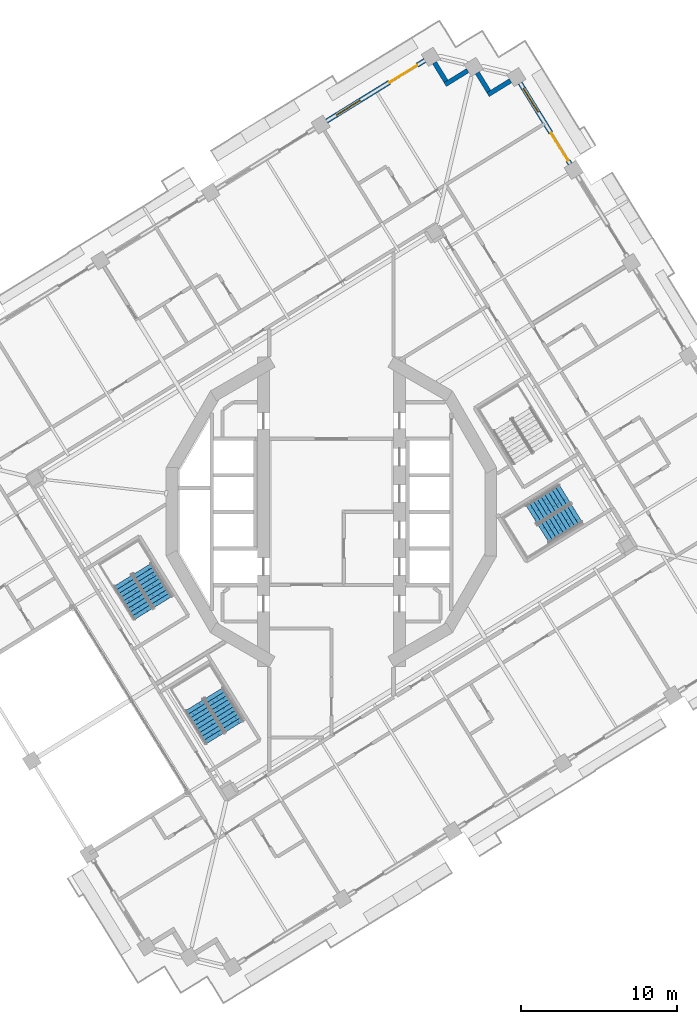
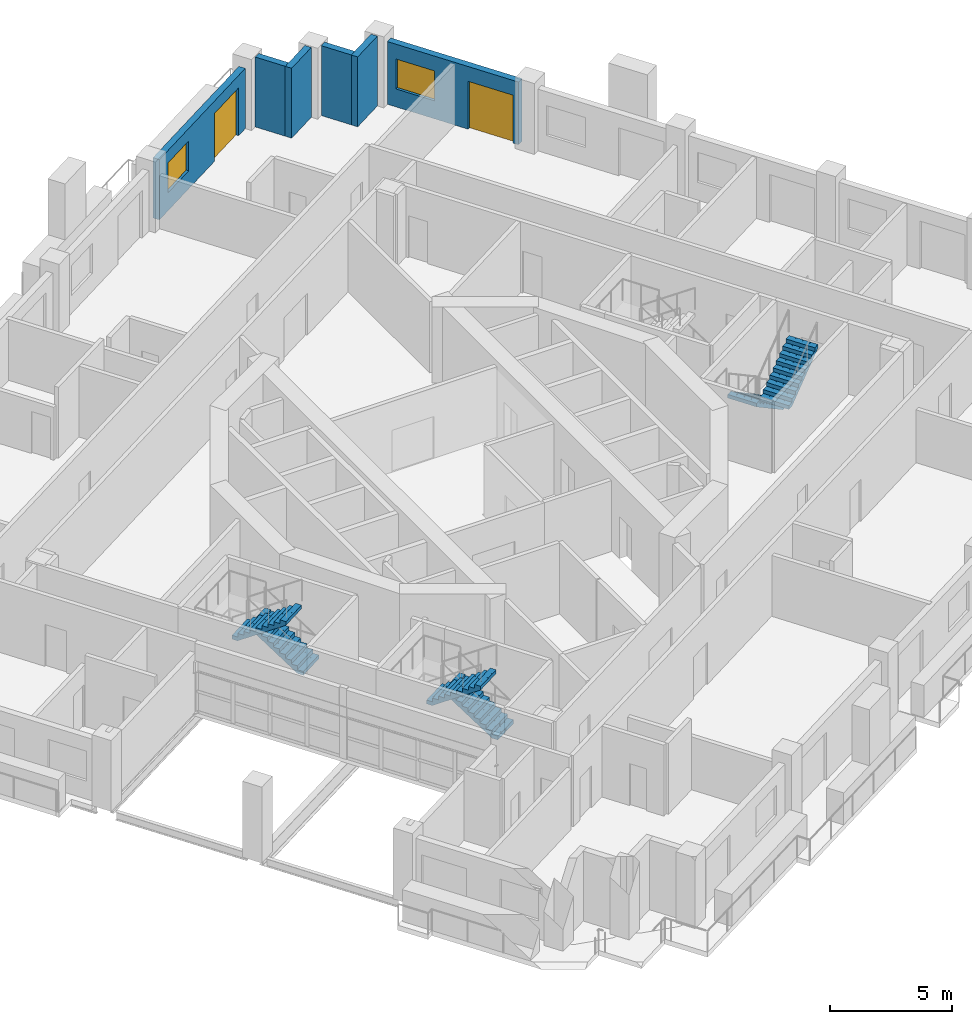
# One storey, part 13 of 22: 6 stair flights, 6 walls, 2 doors, 2 windows, 4 openings, 3 elements without a shape of their own.
"""IFC4 building model written with IfcOpenShell, lengths in metres."""

from ifc_helpers import new_model, si_unit, direction, frame, frame_2d, origin, place, context, subcontext, project, spatial, polyline, rectangle, outline, extrude, material, layer, layer_set, type_object, element, fill, aggregate, save


model = new_model("IFC4")

# Units and contexts
model_context = context("Model", 3, precision=1e-05, world=origin(), true_north=direction((0.0, 1.0)))
body_context = subcontext(model_context, "Body", "Model", "MODEL_VIEW")
ifc_project = project(units=[si_unit("LENGTHUNIT", "METRE"), si_unit("AREAUNIT", "SQUARE_METRE"), si_unit("VOLUMEUNIT", "CUBIC_METRE"), si_unit("PLANEANGLEUNIT", "RADIAN"), si_unit("MASSUNIT", "GRAM", prefix="KILO")], contexts=[model_context])

# Site, building, storey
site_placement = place(None, origin())
site = spatial("IfcSite", under=ifc_project, at=site_placement, CompositionType="ELEMENT")
building_placement = place(site_placement, origin())
building = spatial("IfcBuilding", under=site, at=building_placement, Name="Cantera Rosa Tower", CompositionType="ELEMENT")
storey_placement = place(building_placement, frame((0.0, 0.0, 162.800048828125)))
storey = spatial("IfcBuildingStorey", under=building, at=storey_placement, Name="L35", CompositionType="ELEMENT", Elevation=162.800048828125)

# Walls
ifc_material_1 = material(Name="Hollow clay masonry with cantera stone cladding", Category="masonry")
ifc_layer_1 = layer(ifc_material_1, 0.300048828125)
ifc_layer_set_1 = layer_set([ifc_layer_1], Name="EW-LOGGIA 300")
wall_type_1 = type_object("IfcWallType", Name="EW-LOGGIA 300", PredefinedType="SOLIDWALL", material=ifc_layer_set_1)
wall_1_placement = place(storey_placement, frame((11.51123046875, 27.72021484375, 0.0), z_axis=(0.0, 0.0, 1.0), x_axis=(-0.851130227454, -0.524954603669, 0.0)))
element("IfcWall", 1, at=wall_1_placement, inside=storey, type_object=wall_type_1, Name="EN-L35-W06a", PredefinedType="SOLIDWALL", context=body_context, shape_type="SweptSolid", body=[
    extrude(rectangle(XDim=1.699951171875, YDim=0.300048828125, at=frame_2d((0.85009765625, 0.0))), origin(), (0.0, 0.0, 1.0), 3.5),
])
wall_2_placement = place(storey_placement, frame((10.11328125, 27.0341796875, 0.0), z_axis=(0.0, 0.0, 1.0), x_axis=(-0.524895019961, 0.85116697423, 0.0)))
element("IfcWall", 2, at=wall_2_placement, inside=storey, type_object=wall_type_1, Name="EN-L35-W06b", PredefinedType="SOLIDWALL", context=body_context, shape_type="SweptSolid", body=[
    extrude(rectangle(XDim=1.39990234375, YDim=0.300048828125, at=frame_2d((0.699951171875, 0.0))), origin(), (0.0, 0.0, 1.0), 3.5),
])
wall_3_placement = place(storey_placement, frame((8.75927734375, 28.37255859375, 0.0), z_axis=(0.0, 0.0, 1.0), x_axis=(-0.851105638601, -0.524994468487, 0.0)))
element("IfcWall", 3, at=wall_3_placement, inside=storey, type_object=wall_type_1, Name="EN-L35-W07a", PredefinedType="SOLIDWALL", context=body_context, shape_type="SweptSolid", body=[
    extrude(rectangle(XDim=1.7001953125, YDim=0.300048828125, at=frame_2d((0.85009765625, 0.0))), origin(), (0.0, 0.0, 1.0), 3.5),
])
wall_4_placement = place(storey_placement, frame((7.361083984375, 27.6865234375, 0.0), z_axis=(0.0, 0.0, 1.0), x_axis=(-0.524895019961, 0.85116697423, 0.0)))
element("IfcWall", 4, at=wall_4_placement, inside=storey, type_object=wall_type_1, Name="EN-L35-W07b", PredefinedType="SOLIDWALL", context=body_context, shape_type="SweptSolid", body=[
    extrude(rectangle(XDim=1.39990234375, YDim=0.300048828125, at=frame_2d((0.699951171875, 0.0))), origin(), (0.0, 0.0, 1.0), 3.5),
])

# Wall, openings, window, door
ifc_material_2 = material(Name="Hollow clay masonry with cantera stone cladding", Category="masonry")
ifc_layer_2 = layer(ifc_material_2, 0.300048828125)
ifc_layer_set_2 = layer_set([ifc_layer_2], Name="EW-LOGGIA 300 H3020")
wall_type_2 = type_object("IfcWallType", Name="EW-LOGGIA 300 H3020", PredefinedType="SOLIDWALL", material=ifc_layer_set_2)
wall_5_placement = place(storey_placement, frame((6.007080078125, 29.02490234375, 0.0), z_axis=(0.0, 0.0, 1.0), x_axis=(-0.851111085575, -0.524985637909, 0.0)))
wall_5 = element("IfcWall", 5, at=wall_5_placement, inside=storey, type_object=wall_type_2, Name="EN-L35-W08", PredefinedType="SOLIDWALL", context=body_context, shape_type="SweptSolid", body=[
    extrude(rectangle(XDim=7.420166015625, YDim=0.300048828125, at=frame_2d((3.7099609375, 0.0))), origin(), (0.0, 0.0, 1.0), 3.02001953125),
])
opening_1_placement = place(wall_5_placement, frame((0.580078125, 0.0, 0.0)))
opening_1 = element("IfcOpeningElement", 6, at=opening_1_placement, cuts=wall_5, Name="Opening L35-TD11", PredefinedType="OPENING", context=body_context, shape_type="SweptSolid", body=[
    extrude(rectangle(XDim=2.10009765625, YDim=2.39990234375, at=frame_2d((1.050048828125, 1.199951171875))), frame((0.0, 0.159912109375, 0.0), z_axis=(0.0, -1.0, 0.0), x_axis=(1.0, 0.0, 0.0)), (0.0, 0.0, 1.0), 0.320068359375),
])
opening_2_placement = place(wall_5_placement, frame((4.889892578125, 0.0, 0.89990234375)))
opening_2 = element("IfcOpeningElement", 7, at=opening_2_placement, cuts=wall_5, Name="Opening L35-W12", PredefinedType="OPENING", context=body_context, shape_type="SweptSolid", body=[
    extrude(rectangle(XDim=1.800048828125, YDim=1.5, at=frame_2d((0.89990234375, 0.75))), frame((0.0, 0.159912109375, 0.0), z_axis=(0.0, -1.0, 0.0), x_axis=(1.0, 0.0, 0.0)), (0.0, 0.0, 1.0), 0.320068359375),
])
ifc_material_3 = material(Name="Aluminium frame with clear glass", Category="aluminium")
window_type = type_object("IfcWindowType", Name="Hotel room window 1800x1500", PartitioningType="DOUBLE_PANEL_VERTICAL", PredefinedType="WINDOW", material=ifc_material_3)
window_1_placement = place(opening_2_placement, origin())
window_1 = element("IfcWindow", 8, at=window_1_placement, inside=storey, type_object=window_type, Name="WINDOW L35-W12", OverallHeight=1.5, OverallWidth=1.800048828125, PartitioningType="SINGLE_PANEL", PredefinedType="WINDOW", context=body_context, shape_type="SweptSolid", body=[
    extrude(rectangle(XDim=1.800048828125, YDim=1.5, at=frame_2d((0.89990234375, 0.75))), frame((0.0, 0.030029296875, 0.0), z_axis=(0.0, -1.0, 0.0), x_axis=(1.0, 0.0, 0.0)), (0.0, 0.0, 1.0), 0.06005859375),
])
fill(opening_2, window_1)
ifc_material_4 = material(Name="Aluminium frame with clear glass", Category="aluminium")
door_type = type_object("IfcDoorType", Name="TD-H 2100x2400", OperationType="NOTDEFINED", PredefinedType="DOOR", material=ifc_material_4)
door_1_placement = place(opening_1_placement, origin())
door_1 = element("IfcDoor", 9, at=door_1_placement, inside=storey, type_object=door_type, Name="LOGGIA DOOR L35-TD11", OperationType="SLIDING_TO_LEFT", OverallHeight=2.39990234375, OverallWidth=2.10009765625, PredefinedType="DOOR", context=body_context, shape_type="SweptSolid", body=[
    extrude(rectangle(XDim=2.10009765625, YDim=2.39990234375, at=frame_2d((1.050048828125, 1.199951171875))), frame((0.0, 0.02490234375, 0.0), z_axis=(0.0, -1.0, 0.0), x_axis=(1.0, 0.0, 0.0)), (0.0, 0.0, 1.0), 0.050048828125),
])
fill(opening_1, door_1)

ifc_material_5 = material(Name="Hollow clay masonry with cantera stone cladding", Category="masonry")
ifc_layer_3 = layer(ifc_material_5, 0.300048828125)
ifc_layer_set_3 = layer_set([ifc_layer_3], Name="EW-LOGGIA 300 H3140")
wall_type_3 = type_object("IfcWallType", Name="EW-LOGGIA 300 H3140", PredefinedType="SOLIDWALL", material=ifc_layer_set_3)
wall_6_placement = place(storey_placement, frame((15.343505859375, 22.36474609375, 0.0), z_axis=(0.0, 0.0, 1.0), x_axis=(-0.524987447654, 0.851109969279, 0.0)))
wall_6 = element("IfcWall", 10, at=wall_6_placement, inside=storey, type_object=wall_type_3, Name="EN-L35-W05", PredefinedType="SOLIDWALL", context=body_context, shape_type="SweptSolid", body=[
    extrude(rectangle(XDim=6.119873046875, YDim=0.300048828125, at=frame_2d((3.06005859375, 0.0))), origin(), (0.0, 0.0, 1.0), 3.139892578125),
])
opening_3_placement = place(wall_6_placement, frame((0.2548828125, 0.0, 0.0)))
opening_3 = element("IfcOpeningElement", 11, at=opening_3_placement, cuts=wall_6, Name="Opening L35-TD09", PredefinedType="OPENING", context=body_context, shape_type="SweptSolid", body=[
    extrude(rectangle(XDim=2.10009765625, YDim=2.39990234375, at=frame_2d((1.050048828125, 1.199951171875))), frame((0.0, 0.159912109375, 0.0), z_axis=(0.0, -1.0, 0.0), x_axis=(1.0, 0.0, 0.0)), (0.0, 0.0, 1.0), 0.320068359375),
])
opening_4_placement = place(wall_6_placement, frame((3.9150390625, 0.0, 0.89990234375)))
opening_4 = element("IfcOpeningElement", 12, at=opening_4_placement, cuts=wall_6, Name="Opening L35-W10", PredefinedType="OPENING", context=body_context, shape_type="SweptSolid", body=[
    extrude(rectangle(XDim=1.800048828125, YDim=1.5, at=frame_2d((0.89990234375, 0.75))), frame((0.0, 0.159912109375, 0.0), z_axis=(0.0, -1.0, 0.0), x_axis=(1.0, 0.0, 0.0)), (0.0, 0.0, 1.0), 0.320068359375),
])
window_2_placement = place(opening_4_placement, origin())
window_2 = element("IfcWindow", 13, at=window_2_placement, inside=storey, type_object=window_type, Name="WINDOW L35-W10", OverallHeight=1.5, OverallWidth=1.800048828125, PartitioningType="SINGLE_PANEL", PredefinedType="WINDOW", context=body_context, shape_type="SweptSolid", body=[
    extrude(rectangle(XDim=1.800048828125, YDim=1.5, at=frame_2d((0.89990234375, 0.75))), frame((0.0, 0.030029296875, 0.0), z_axis=(0.0, -1.0, 0.0), x_axis=(1.0, 0.0, 0.0)), (0.0, 0.0, 1.0), 0.06005859375),
])
fill(opening_4, window_2)
door_2_placement = place(opening_3_placement, origin())
door_2 = element("IfcDoor", 14, at=door_2_placement, inside=storey, type_object=door_type, Name="LOGGIA DOOR L35-TD09", OperationType="SLIDING_TO_LEFT", OverallHeight=2.39990234375, OverallWidth=2.10009765625, PredefinedType="DOOR", context=body_context, shape_type="SweptSolid", body=[
    extrude(rectangle(XDim=2.10009765625, YDim=2.39990234375, at=frame_2d((1.050048828125, 1.199951171875))), frame((0.0, 0.02490234375, 0.0), z_axis=(0.0, -1.0, 0.0), x_axis=(1.0, 0.0, 0.0)), (0.0, 0.0, 1.0), 0.050048828125),
])
fill(opening_3, door_2)

# Stair, stair flights
ifc_material_6 = material(Name="Concrete C35/45", Category="concrete")
stair_type = type_object("IfcStairType", Name="EXIT STAIR 1350 DOGLEG", PredefinedType="HALF_TURN_STAIR", material=ifc_material_6)
stair_1_placement = place(storey_placement, origin())
stair_1 = element("IfcStair", 15, at=stair_1_placement, inside=storey, type_object=stair_type, Name="L35 ST-32", PredefinedType="HALF_TURN_STAIR")
ifc_material_7 = material(Name="Concrete C35/45", Category="concrete")
stair_flight_type = type_object("IfcStairFlightType", Name="STAIR FLIGHT 1350 R20x190", PredefinedType="STRAIGHT", material=ifc_material_7)
stair_flight_1_placement = place(storey_placement, frame((-10.82666015625, -5.7978515625, 0.0), z_axis=(0.0, 0.0, 1.0), x_axis=(-0.524976585286, 0.851116669383, 0.0)))
stair_flight_1 = element("IfcStairFlight", 16, at=stair_flight_1_placement, type_object=stair_flight_type, Name="ST-32 flight 1", NumberOfRisers=10, NumberOfTreads=9, PredefinedType="STRAIGHT", RiserHeight=0.19, TreadLength=0.28, context=body_context, shape_type="SweptSolid", body=[
    extrude(outline(polyline([(0.0, 0.0), (0.0, 0.18994140625), (0.280029296875, 0.18994140625), (0.280029296875, 0.3798828125), (0.56005859375, 0.3798828125), (0.56005859375, 0.570068359375), (0.840087890625, 0.570068359375), (0.840087890625, 0.760009765625), (1.1201171875, 0.760009765625), (1.1201171875, 0.949951171875), (1.39990234375, 0.949951171875), (1.39990234375, 1.139892578125), (1.679931640625, 1.139892578125), (1.679931640625, 1.330078125), (1.9599609375, 1.330078125), (1.9599609375, 1.52001953125), (2.239990234375, 1.52001953125), (2.239990234375, 1.7099609375), (2.52001953125, 1.7099609375), (2.52001953125, 1.89990234375), (2.52001953125, 1.52880859375), (0.266845703125, 0.0), (0.0, 0.0)])), frame((0.0, 0.675048828125, 0.0), z_axis=(0.0, -1.0, 0.0), x_axis=(1.0, 0.0, 0.0)), (0.0, 0.0, 1.0), 0.3359375),
    extrude(outline(polyline([(0.0, 0.0), (0.0, 0.18994140625), (0.280029296875, 0.18994140625), (0.280029296875, 0.3798828125), (0.56005859375, 0.3798828125), (0.56005859375, 0.570068359375), (0.840087890625, 0.570068359375), (0.840087890625, 0.760009765625), (1.1201171875, 0.760009765625), (1.1201171875, 0.949951171875), (1.39990234375, 0.949951171875), (1.39990234375, 1.139892578125), (1.679931640625, 1.139892578125), (1.679931640625, 1.330078125), (1.9599609375, 1.330078125), (1.9599609375, 1.52001953125), (2.239990234375, 1.52001953125), (2.239990234375, 1.7099609375), (2.52001953125, 1.7099609375), (2.52001953125, 1.89990234375), (2.52001953125, 1.52880859375), (0.266845703125, 0.0), (0.0, 0.0)])), frame((0.0, 0.337158203125, 0.0), z_axis=(0.0, -1.0, 0.0), x_axis=(1.0, 0.0, 0.0)), (0.0, 0.0, 1.0), 0.3359375),
    extrude(outline(polyline([(0.0, 0.0), (0.0, 0.18994140625), (0.280029296875, 0.18994140625), (0.280029296875, 0.3798828125), (0.56005859375, 0.3798828125), (0.56005859375, 0.570068359375), (0.840087890625, 0.570068359375), (0.840087890625, 0.760009765625), (1.1201171875, 0.760009765625), (1.1201171875, 0.949951171875), (1.39990234375, 0.949951171875), (1.39990234375, 1.139892578125), (1.679931640625, 1.139892578125), (1.679931640625, 1.330078125), (1.9599609375, 1.330078125), (1.9599609375, 1.52001953125), (2.239990234375, 1.52001953125), (2.239990234375, 1.7099609375), (2.52001953125, 1.7099609375), (2.52001953125, 1.89990234375), (2.52001953125, 1.52880859375), (0.266845703125, 0.0), (0.0, 0.0)])), frame((0.0, -0.000732421875, 0.0), z_axis=(0.0, -1.0, 0.0), x_axis=(1.0, 0.0, 0.0)), (0.0, 0.0, 1.0), 0.3359375),
    extrude(outline(polyline([(0.0, 0.0), (0.0, 0.18994140625), (0.280029296875, 0.18994140625), (0.280029296875, 0.3798828125), (0.56005859375, 0.3798828125), (0.56005859375, 0.570068359375), (0.840087890625, 0.570068359375), (0.840087890625, 0.760009765625), (1.1201171875, 0.760009765625), (1.1201171875, 0.949951171875), (1.39990234375, 0.949951171875), (1.39990234375, 1.139892578125), (1.679931640625, 1.139892578125), (1.679931640625, 1.330078125), (1.9599609375, 1.330078125), (1.9599609375, 1.52001953125), (2.239990234375, 1.52001953125), (2.239990234375, 1.7099609375), (2.52001953125, 1.7099609375), (2.52001953125, 1.89990234375), (2.52001953125, 1.52880859375), (0.266845703125, 0.0), (0.0, 0.0)])), frame((0.0, -0.338623046875, 0.0), z_axis=(0.0, -1.0, 0.0), x_axis=(1.0, 0.0, 0.0)), (0.0, 0.0, 1.0), 0.3359375),
])
stair_flight_2_placement = place(storey_placement, frame((-13.42626953125, -4.4404296875, 1.89990234375), z_axis=(0.0, 0.0, 1.0), x_axis=(0.524976585286, -0.851116669383, 0.0)))
stair_flight_2 = element("IfcStairFlight", 17, at=stair_flight_2_placement, type_object=stair_flight_type, Name="ST-32 flight 2", NumberOfRisers=10, NumberOfTreads=9, PredefinedType="STRAIGHT", RiserHeight=0.19, TreadLength=0.28, context=body_context, shape_type="SweptSolid", body=[
    extrude(outline(polyline([(0.0, 0.0), (0.0, 0.18994140625), (0.280029296875, 0.18994140625), (0.280029296875, 0.3798828125), (0.56005859375, 0.3798828125), (0.56005859375, 0.570068359375), (0.840087890625, 0.570068359375), (0.840087890625, 0.760009765625), (1.1201171875, 0.760009765625), (1.1201171875, 0.949951171875), (1.39990234375, 0.949951171875), (1.39990234375, 1.139892578125), (1.679931640625, 1.139892578125), (1.679931640625, 1.330078125), (1.9599609375, 1.330078125), (1.9599609375, 1.52001953125), (2.239990234375, 1.52001953125), (2.239990234375, 1.7099609375), (2.52001953125, 1.7099609375), (2.52001953125, 1.89990234375), (2.52001953125, 1.52880859375), (0.266845703125, 0.0), (0.0, 0.0)])), frame((0.0, 0.675048828125, 0.0), z_axis=(0.0, -1.0, 0.0), x_axis=(1.0, 0.0, 0.0)), (0.0, 0.0, 1.0), 0.3359375),
    extrude(outline(polyline([(0.0, 0.0), (0.0, 0.18994140625), (0.280029296875, 0.18994140625), (0.280029296875, 0.3798828125), (0.56005859375, 0.3798828125), (0.56005859375, 0.570068359375), (0.840087890625, 0.570068359375), (0.840087890625, 0.760009765625), (1.1201171875, 0.760009765625), (1.1201171875, 0.949951171875), (1.39990234375, 0.949951171875), (1.39990234375, 1.139892578125), (1.679931640625, 1.139892578125), (1.679931640625, 1.330078125), (1.9599609375, 1.330078125), (1.9599609375, 1.52001953125), (2.239990234375, 1.52001953125), (2.239990234375, 1.7099609375), (2.52001953125, 1.7099609375), (2.52001953125, 1.89990234375), (2.52001953125, 1.52880859375), (0.266845703125, 0.0), (0.0, 0.0)])), frame((0.0, 0.337158203125, 0.0), z_axis=(0.0, -1.0, 0.0), x_axis=(1.0, 0.0, 0.0)), (0.0, 0.0, 1.0), 0.3359375),
    extrude(outline(polyline([(0.0, 0.0), (0.0, 0.18994140625), (0.280029296875, 0.18994140625), (0.280029296875, 0.3798828125), (0.56005859375, 0.3798828125), (0.56005859375, 0.570068359375), (0.840087890625, 0.570068359375), (0.840087890625, 0.760009765625), (1.1201171875, 0.760009765625), (1.1201171875, 0.949951171875), (1.39990234375, 0.949951171875), (1.39990234375, 1.139892578125), (1.679931640625, 1.139892578125), (1.679931640625, 1.330078125), (1.9599609375, 1.330078125), (1.9599609375, 1.52001953125), (2.239990234375, 1.52001953125), (2.239990234375, 1.7099609375), (2.52001953125, 1.7099609375), (2.52001953125, 1.89990234375), (2.52001953125, 1.52880859375), (0.266845703125, 0.0), (0.0, 0.0)])), frame((0.0, -0.000732421875, 0.0), z_axis=(0.0, -1.0, 0.0), x_axis=(1.0, 0.0, 0.0)), (0.0, 0.0, 1.0), 0.3359375),
    extrude(outline(polyline([(0.0, 0.0), (0.0, 0.18994140625), (0.280029296875, 0.18994140625), (0.280029296875, 0.3798828125), (0.56005859375, 0.3798828125), (0.56005859375, 0.570068359375), (0.840087890625, 0.570068359375), (0.840087890625, 0.760009765625), (1.1201171875, 0.760009765625), (1.1201171875, 0.949951171875), (1.39990234375, 0.949951171875), (1.39990234375, 1.139892578125), (1.679931640625, 1.139892578125), (1.679931640625, 1.330078125), (1.9599609375, 1.330078125), (1.9599609375, 1.52001953125), (2.239990234375, 1.52001953125), (2.239990234375, 1.7099609375), (2.52001953125, 1.7099609375), (2.52001953125, 1.89990234375), (2.52001953125, 1.52880859375), (0.266845703125, 0.0), (0.0, 0.0)])), frame((0.0, -0.338623046875, 0.0), z_axis=(0.0, -1.0, 0.0), x_axis=(1.0, 0.0, 0.0)), (0.0, 0.0, 1.0), 0.3359375),
])
aggregate(stair_1, [stair_flight_1, stair_flight_2])

stair_2_placement = place(storey_placement, origin())
stair_2 = element("IfcStair", 18, at=stair_2_placement, inside=storey, type_object=stair_type, Name="L35 ST-33", PredefinedType="HALF_TURN_STAIR")
stair_flight_3_placement = place(storey_placement, frame((-6.226806640625, -13.7978515625, 0.0), z_axis=(0.0, 0.0, 1.0), x_axis=(-0.524976585286, 0.851116669383, 0.0)))
stair_flight_3 = element("IfcStairFlight", 19, at=stair_flight_3_placement, type_object=stair_flight_type, Name="ST-33 flight 1", NumberOfRisers=10, NumberOfTreads=9, PredefinedType="STRAIGHT", RiserHeight=0.19, TreadLength=0.28, context=body_context, shape_type="SweptSolid", body=[
    extrude(outline(polyline([(0.0, 0.0), (0.0, 0.18994140625), (0.280029296875, 0.18994140625), (0.280029296875, 0.3798828125), (0.56005859375, 0.3798828125), (0.56005859375, 0.570068359375), (0.840087890625, 0.570068359375), (0.840087890625, 0.760009765625), (1.1201171875, 0.760009765625), (1.1201171875, 0.949951171875), (1.39990234375, 0.949951171875), (1.39990234375, 1.139892578125), (1.679931640625, 1.139892578125), (1.679931640625, 1.330078125), (1.9599609375, 1.330078125), (1.9599609375, 1.52001953125), (2.239990234375, 1.52001953125), (2.239990234375, 1.7099609375), (2.52001953125, 1.7099609375), (2.52001953125, 1.89990234375), (2.52001953125, 1.52880859375), (0.266845703125, 0.0), (0.0, 0.0)])), frame((0.0, 0.675048828125, 0.0), z_axis=(0.0, -1.0, 0.0), x_axis=(1.0, 0.0, 0.0)), (0.0, 0.0, 1.0), 0.3359375),
    extrude(outline(polyline([(0.0, 0.0), (0.0, 0.18994140625), (0.280029296875, 0.18994140625), (0.280029296875, 0.3798828125), (0.56005859375, 0.3798828125), (0.56005859375, 0.570068359375), (0.840087890625, 0.570068359375), (0.840087890625, 0.760009765625), (1.1201171875, 0.760009765625), (1.1201171875, 0.949951171875), (1.39990234375, 0.949951171875), (1.39990234375, 1.139892578125), (1.679931640625, 1.139892578125), (1.679931640625, 1.330078125), (1.9599609375, 1.330078125), (1.9599609375, 1.52001953125), (2.239990234375, 1.52001953125), (2.239990234375, 1.7099609375), (2.52001953125, 1.7099609375), (2.52001953125, 1.89990234375), (2.52001953125, 1.52880859375), (0.266845703125, 0.0), (0.0, 0.0)])), frame((0.0, 0.337158203125, 0.0), z_axis=(0.0, -1.0, 0.0), x_axis=(1.0, 0.0, 0.0)), (0.0, 0.0, 1.0), 0.3359375),
    extrude(outline(polyline([(0.0, 0.0), (0.0, 0.18994140625), (0.280029296875, 0.18994140625), (0.280029296875, 0.3798828125), (0.56005859375, 0.3798828125), (0.56005859375, 0.570068359375), (0.840087890625, 0.570068359375), (0.840087890625, 0.760009765625), (1.1201171875, 0.760009765625), (1.1201171875, 0.949951171875), (1.39990234375, 0.949951171875), (1.39990234375, 1.139892578125), (1.679931640625, 1.139892578125), (1.679931640625, 1.330078125), (1.9599609375, 1.330078125), (1.9599609375, 1.52001953125), (2.239990234375, 1.52001953125), (2.239990234375, 1.7099609375), (2.52001953125, 1.7099609375), (2.52001953125, 1.89990234375), (2.52001953125, 1.52880859375), (0.266845703125, 0.0), (0.0, 0.0)])), frame((0.0, -0.000732421875, 0.0), z_axis=(0.0, -1.0, 0.0), x_axis=(1.0, 0.0, 0.0)), (0.0, 0.0, 1.0), 0.3359375),
    extrude(outline(polyline([(0.0, 0.0), (0.0, 0.18994140625), (0.280029296875, 0.18994140625), (0.280029296875, 0.3798828125), (0.56005859375, 0.3798828125), (0.56005859375, 0.570068359375), (0.840087890625, 0.570068359375), (0.840087890625, 0.760009765625), (1.1201171875, 0.760009765625), (1.1201171875, 0.949951171875), (1.39990234375, 0.949951171875), (1.39990234375, 1.139892578125), (1.679931640625, 1.139892578125), (1.679931640625, 1.330078125), (1.9599609375, 1.330078125), (1.9599609375, 1.52001953125), (2.239990234375, 1.52001953125), (2.239990234375, 1.7099609375), (2.52001953125, 1.7099609375), (2.52001953125, 1.89990234375), (2.52001953125, 1.52880859375), (0.266845703125, 0.0), (0.0, 0.0)])), frame((0.0, -0.338623046875, 0.0), z_axis=(0.0, -1.0, 0.0), x_axis=(1.0, 0.0, 0.0)), (0.0, 0.0, 1.0), 0.3359375),
])
stair_flight_4_placement = place(storey_placement, frame((-8.826416015625, -12.4404296875, 1.89990234375), z_axis=(0.0, 0.0, 1.0), x_axis=(0.524976585286, -0.851116669383, 0.0)))
stair_flight_4 = element("IfcStairFlight", 20, at=stair_flight_4_placement, type_object=stair_flight_type, Name="ST-33 flight 2", NumberOfRisers=10, NumberOfTreads=9, PredefinedType="STRAIGHT", RiserHeight=0.19, TreadLength=0.28, context=body_context, shape_type="SweptSolid", body=[
    extrude(outline(polyline([(0.0, 0.0), (0.0, 0.18994140625), (0.280029296875, 0.18994140625), (0.280029296875, 0.3798828125), (0.56005859375, 0.3798828125), (0.56005859375, 0.570068359375), (0.840087890625, 0.570068359375), (0.840087890625, 0.760009765625), (1.1201171875, 0.760009765625), (1.1201171875, 0.949951171875), (1.39990234375, 0.949951171875), (1.39990234375, 1.139892578125), (1.679931640625, 1.139892578125), (1.679931640625, 1.330078125), (1.9599609375, 1.330078125), (1.9599609375, 1.52001953125), (2.239990234375, 1.52001953125), (2.239990234375, 1.7099609375), (2.52001953125, 1.7099609375), (2.52001953125, 1.89990234375), (2.52001953125, 1.52880859375), (0.266845703125, 0.0), (0.0, 0.0)])), frame((0.0, 0.675048828125, 0.0), z_axis=(0.0, -1.0, 0.0), x_axis=(1.0, 0.0, 0.0)), (0.0, 0.0, 1.0), 0.3359375),
    extrude(outline(polyline([(0.0, 0.0), (0.0, 0.18994140625), (0.280029296875, 0.18994140625), (0.280029296875, 0.3798828125), (0.56005859375, 0.3798828125), (0.56005859375, 0.570068359375), (0.840087890625, 0.570068359375), (0.840087890625, 0.760009765625), (1.1201171875, 0.760009765625), (1.1201171875, 0.949951171875), (1.39990234375, 0.949951171875), (1.39990234375, 1.139892578125), (1.679931640625, 1.139892578125), (1.679931640625, 1.330078125), (1.9599609375, 1.330078125), (1.9599609375, 1.52001953125), (2.239990234375, 1.52001953125), (2.239990234375, 1.7099609375), (2.52001953125, 1.7099609375), (2.52001953125, 1.89990234375), (2.52001953125, 1.52880859375), (0.266845703125, 0.0), (0.0, 0.0)])), frame((0.0, 0.337158203125, 0.0), z_axis=(0.0, -1.0, 0.0), x_axis=(1.0, 0.0, 0.0)), (0.0, 0.0, 1.0), 0.3359375),
    extrude(outline(polyline([(0.0, 0.0), (0.0, 0.18994140625), (0.280029296875, 0.18994140625), (0.280029296875, 0.3798828125), (0.56005859375, 0.3798828125), (0.56005859375, 0.570068359375), (0.840087890625, 0.570068359375), (0.840087890625, 0.760009765625), (1.1201171875, 0.760009765625), (1.1201171875, 0.949951171875), (1.39990234375, 0.949951171875), (1.39990234375, 1.139892578125), (1.679931640625, 1.139892578125), (1.679931640625, 1.330078125), (1.9599609375, 1.330078125), (1.9599609375, 1.52001953125), (2.239990234375, 1.52001953125), (2.239990234375, 1.7099609375), (2.52001953125, 1.7099609375), (2.52001953125, 1.89990234375), (2.52001953125, 1.52880859375), (0.266845703125, 0.0), (0.0, 0.0)])), frame((0.0, -0.000732421875, 0.0), z_axis=(0.0, -1.0, 0.0), x_axis=(1.0, 0.0, 0.0)), (0.0, 0.0, 1.0), 0.3359375),
    extrude(outline(polyline([(0.0, 0.0), (0.0, 0.18994140625), (0.280029296875, 0.18994140625), (0.280029296875, 0.3798828125), (0.56005859375, 0.3798828125), (0.56005859375, 0.570068359375), (0.840087890625, 0.570068359375), (0.840087890625, 0.760009765625), (1.1201171875, 0.760009765625), (1.1201171875, 0.949951171875), (1.39990234375, 0.949951171875), (1.39990234375, 1.139892578125), (1.679931640625, 1.139892578125), (1.679931640625, 1.330078125), (1.9599609375, 1.330078125), (1.9599609375, 1.52001953125), (2.239990234375, 1.52001953125), (2.239990234375, 1.7099609375), (2.52001953125, 1.7099609375), (2.52001953125, 1.89990234375), (2.52001953125, 1.52880859375), (0.266845703125, 0.0), (0.0, 0.0)])), frame((0.0, -0.338623046875, 0.0), z_axis=(0.0, -1.0, 0.0), x_axis=(1.0, 0.0, 0.0)), (0.0, 0.0, 1.0), 0.3359375),
])
aggregate(stair_2, [stair_flight_3, stair_flight_4])

stair_3_placement = place(storey_placement, origin())
stair_3 = element("IfcStair", 21, at=stair_3_placement, inside=storey, type_object=stair_type, Name="L35 ST-34", PredefinedType="HALF_TURN_STAIR")
stair_flight_5_placement = place(storey_placement, frame((14.997802734375, 1.17333984375, 0.0), z_axis=(0.0, 0.0, 1.0), x_axis=(-0.851116669383, -0.524976585286, 0.0)))
stair_flight_5 = element("IfcStairFlight", 22, at=stair_flight_5_placement, type_object=stair_flight_type, Name="ST-34 flight 1", NumberOfRisers=10, NumberOfTreads=9, PredefinedType="STRAIGHT", RiserHeight=0.19, TreadLength=0.28, context=body_context, shape_type="SweptSolid", body=[
    extrude(outline(polyline([(0.0, 0.0), (0.0, 0.18994140625), (0.280029296875, 0.18994140625), (0.280029296875, 0.3798828125), (0.56005859375, 0.3798828125), (0.56005859375, 0.570068359375), (0.840087890625, 0.570068359375), (0.840087890625, 0.760009765625), (1.1201171875, 0.760009765625), (1.1201171875, 0.949951171875), (1.39990234375, 0.949951171875), (1.39990234375, 1.139892578125), (1.679931640625, 1.139892578125), (1.679931640625, 1.330078125), (1.9599609375, 1.330078125), (1.9599609375, 1.52001953125), (2.239990234375, 1.52001953125), (2.239990234375, 1.7099609375), (2.52001953125, 1.7099609375), (2.52001953125, 1.89990234375), (2.52001953125, 1.52880859375), (0.266845703125, 0.0), (0.0, 0.0)])), frame((0.0, 0.675048828125, 0.0), z_axis=(0.0, -1.0, 0.0), x_axis=(1.0, 0.0, 0.0)), (0.0, 0.0, 1.0), 0.3359375),
    extrude(outline(polyline([(0.0, 0.0), (0.0, 0.18994140625), (0.280029296875, 0.18994140625), (0.280029296875, 0.3798828125), (0.56005859375, 0.3798828125), (0.56005859375, 0.570068359375), (0.840087890625, 0.570068359375), (0.840087890625, 0.760009765625), (1.1201171875, 0.760009765625), (1.1201171875, 0.949951171875), (1.39990234375, 0.949951171875), (1.39990234375, 1.139892578125), (1.679931640625, 1.139892578125), (1.679931640625, 1.330078125), (1.9599609375, 1.330078125), (1.9599609375, 1.52001953125), (2.239990234375, 1.52001953125), (2.239990234375, 1.7099609375), (2.52001953125, 1.7099609375), (2.52001953125, 1.89990234375), (2.52001953125, 1.52880859375), (0.266845703125, 0.0), (0.0, 0.0)])), frame((0.0, 0.337158203125, 0.0), z_axis=(0.0, -1.0, 0.0), x_axis=(1.0, 0.0, 0.0)), (0.0, 0.0, 1.0), 0.3359375),
    extrude(outline(polyline([(0.0, 0.0), (0.0, 0.18994140625), (0.280029296875, 0.18994140625), (0.280029296875, 0.3798828125), (0.56005859375, 0.3798828125), (0.56005859375, 0.570068359375), (0.840087890625, 0.570068359375), (0.840087890625, 0.760009765625), (1.1201171875, 0.760009765625), (1.1201171875, 0.949951171875), (1.39990234375, 0.949951171875), (1.39990234375, 1.139892578125), (1.679931640625, 1.139892578125), (1.679931640625, 1.330078125), (1.9599609375, 1.330078125), (1.9599609375, 1.52001953125), (2.239990234375, 1.52001953125), (2.239990234375, 1.7099609375), (2.52001953125, 1.7099609375), (2.52001953125, 1.89990234375), (2.52001953125, 1.52880859375), (0.266845703125, 0.0), (0.0, 0.0)])), frame((0.0, -0.000732421875, 0.0), z_axis=(0.0, -1.0, 0.0), x_axis=(1.0, 0.0, 0.0)), (0.0, 0.0, 1.0), 0.3359375),
    extrude(outline(polyline([(0.0, 0.0), (0.0, 0.18994140625), (0.280029296875, 0.18994140625), (0.280029296875, 0.3798828125), (0.56005859375, 0.3798828125), (0.56005859375, 0.570068359375), (0.840087890625, 0.570068359375), (0.840087890625, 0.760009765625), (1.1201171875, 0.760009765625), (1.1201171875, 0.949951171875), (1.39990234375, 0.949951171875), (1.39990234375, 1.139892578125), (1.679931640625, 1.139892578125), (1.679931640625, 1.330078125), (1.9599609375, 1.330078125), (1.9599609375, 1.52001953125), (2.239990234375, 1.52001953125), (2.239990234375, 1.7099609375), (2.52001953125, 1.7099609375), (2.52001953125, 1.89990234375), (2.52001953125, 1.52880859375), (0.266845703125, 0.0), (0.0, 0.0)])), frame((0.0, -0.338623046875, 0.0), z_axis=(0.0, -1.0, 0.0), x_axis=(1.0, 0.0, 0.0)), (0.0, 0.0, 1.0), 0.3359375),
])
stair_flight_6_placement = place(storey_placement, frame((13.640380859375, -1.42626953125, 1.89990234375), z_axis=(0.0, 0.0, 1.0), x_axis=(0.851116669383, 0.524976585286, 0.0)))
stair_flight_6 = element("IfcStairFlight", 23, at=stair_flight_6_placement, type_object=stair_flight_type, Name="ST-34 flight 2", NumberOfRisers=10, NumberOfTreads=9, PredefinedType="STRAIGHT", RiserHeight=0.19, TreadLength=0.28, context=body_context, shape_type="SweptSolid", body=[
    extrude(outline(polyline([(0.0, 0.0), (0.0, 0.18994140625), (0.280029296875, 0.18994140625), (0.280029296875, 0.3798828125), (0.56005859375, 0.3798828125), (0.56005859375, 0.570068359375), (0.840087890625, 0.570068359375), (0.840087890625, 0.760009765625), (1.1201171875, 0.760009765625), (1.1201171875, 0.949951171875), (1.39990234375, 0.949951171875), (1.39990234375, 1.139892578125), (1.679931640625, 1.139892578125), (1.679931640625, 1.330078125), (1.9599609375, 1.330078125), (1.9599609375, 1.52001953125), (2.239990234375, 1.52001953125), (2.239990234375, 1.7099609375), (2.52001953125, 1.7099609375), (2.52001953125, 1.89990234375), (2.52001953125, 1.52880859375), (0.266845703125, 0.0), (0.0, 0.0)])), frame((0.0, 0.675048828125, 0.0), z_axis=(0.0, -1.0, 0.0), x_axis=(1.0, 0.0, 0.0)), (0.0, 0.0, 1.0), 0.3359375),
    extrude(outline(polyline([(0.0, 0.0), (0.0, 0.18994140625), (0.280029296875, 0.18994140625), (0.280029296875, 0.3798828125), (0.56005859375, 0.3798828125), (0.56005859375, 0.570068359375), (0.840087890625, 0.570068359375), (0.840087890625, 0.760009765625), (1.1201171875, 0.760009765625), (1.1201171875, 0.949951171875), (1.39990234375, 0.949951171875), (1.39990234375, 1.139892578125), (1.679931640625, 1.139892578125), (1.679931640625, 1.330078125), (1.9599609375, 1.330078125), (1.9599609375, 1.52001953125), (2.239990234375, 1.52001953125), (2.239990234375, 1.7099609375), (2.52001953125, 1.7099609375), (2.52001953125, 1.89990234375), (2.52001953125, 1.52880859375), (0.266845703125, 0.0), (0.0, 0.0)])), frame((0.0, 0.337158203125, 0.0), z_axis=(0.0, -1.0, 0.0), x_axis=(1.0, 0.0, 0.0)), (0.0, 0.0, 1.0), 0.3359375),
    extrude(outline(polyline([(0.0, 0.0), (0.0, 0.18994140625), (0.280029296875, 0.18994140625), (0.280029296875, 0.3798828125), (0.56005859375, 0.3798828125), (0.56005859375, 0.570068359375), (0.840087890625, 0.570068359375), (0.840087890625, 0.760009765625), (1.1201171875, 0.760009765625), (1.1201171875, 0.949951171875), (1.39990234375, 0.949951171875), (1.39990234375, 1.139892578125), (1.679931640625, 1.139892578125), (1.679931640625, 1.330078125), (1.9599609375, 1.330078125), (1.9599609375, 1.52001953125), (2.239990234375, 1.52001953125), (2.239990234375, 1.7099609375), (2.52001953125, 1.7099609375), (2.52001953125, 1.89990234375), (2.52001953125, 1.52880859375), (0.266845703125, 0.0), (0.0, 0.0)])), frame((0.0, -0.000732421875, 0.0), z_axis=(0.0, -1.0, 0.0), x_axis=(1.0, 0.0, 0.0)), (0.0, 0.0, 1.0), 0.3359375),
    extrude(outline(polyline([(0.0, 0.0), (0.0, 0.18994140625), (0.280029296875, 0.18994140625), (0.280029296875, 0.3798828125), (0.56005859375, 0.3798828125), (0.56005859375, 0.570068359375), (0.840087890625, 0.570068359375), (0.840087890625, 0.760009765625), (1.1201171875, 0.760009765625), (1.1201171875, 0.949951171875), (1.39990234375, 0.949951171875), (1.39990234375, 1.139892578125), (1.679931640625, 1.139892578125), (1.679931640625, 1.330078125), (1.9599609375, 1.330078125), (1.9599609375, 1.52001953125), (2.239990234375, 1.52001953125), (2.239990234375, 1.7099609375), (2.52001953125, 1.7099609375), (2.52001953125, 1.89990234375), (2.52001953125, 1.52880859375), (0.266845703125, 0.0), (0.0, 0.0)])), frame((0.0, -0.338623046875, 0.0), z_axis=(0.0, -1.0, 0.0), x_axis=(1.0, 0.0, 0.0)), (0.0, 0.0, 1.0), 0.3359375),
])
aggregate(stair_3, [stair_flight_5, stair_flight_6])

save(model, "model.ifc")
